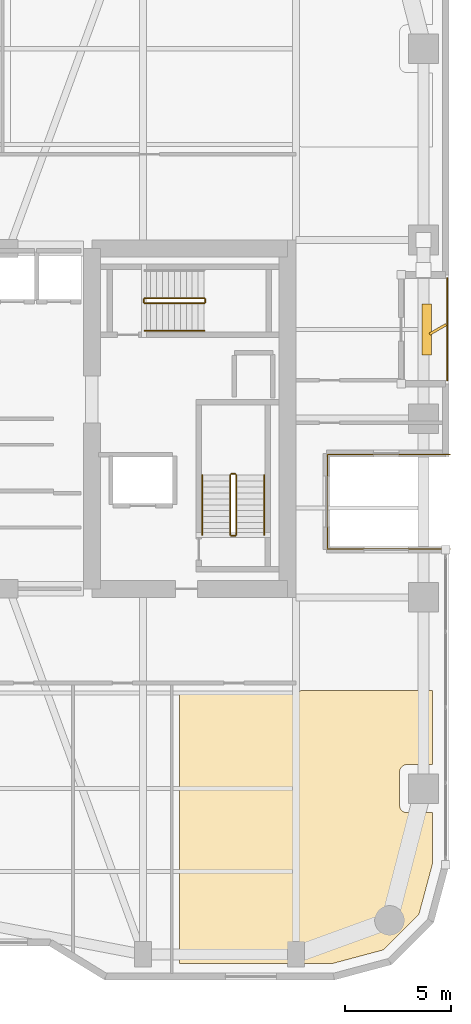
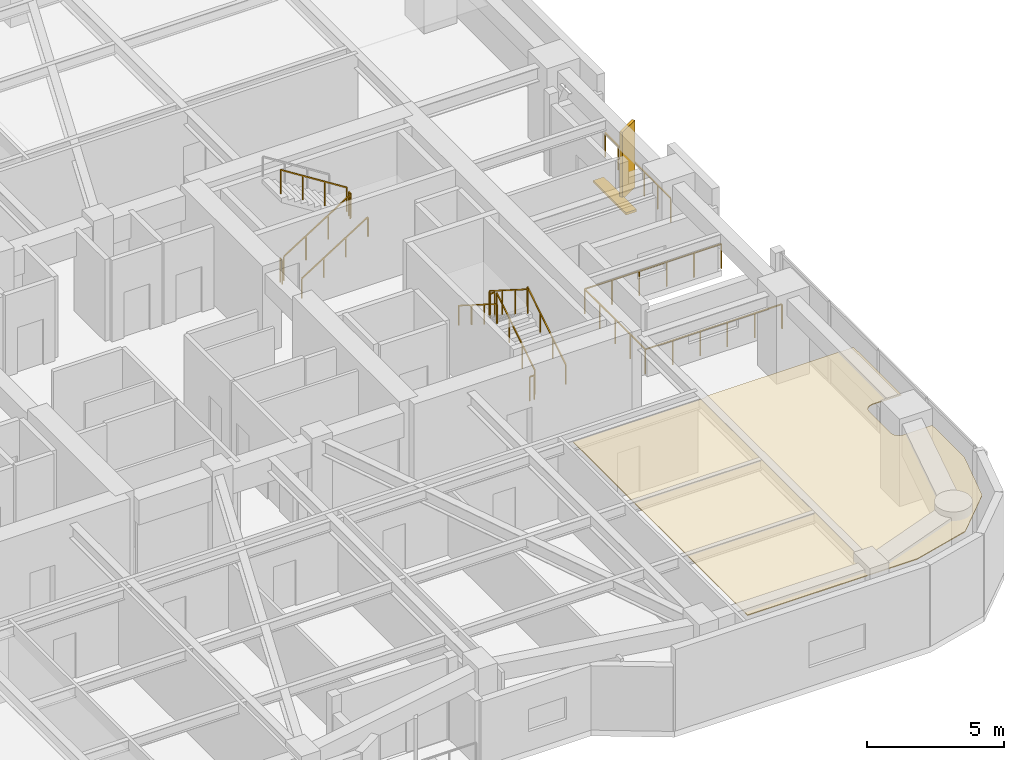
# One storey, part 23 of 24: 13 railings, 2 shading devices, 1 covering.
"""IFC4 building model written with IfcOpenShell, lengths in metres."""

from ifc_helpers import new_model, si_unit, direction, frame, origin, origin_2d, place, context, subcontext, project, spatial, polyline, rectangle, outline, extrude, material, layer, layer_set, type_object, element, save


model = new_model("IFC4")

# Units and contexts
model_context = context("Model", 3, precision=1e-05, world=origin(), true_north=direction((0.0, 1.0)))
body_context = subcontext(model_context, "Body", "Model", "MODEL_VIEW")
ifc_project = project(units=[si_unit("LENGTHUNIT", "METRE"), si_unit("AREAUNIT", "SQUARE_METRE"), si_unit("VOLUMEUNIT", "CUBIC_METRE"), si_unit("PLANEANGLEUNIT", "RADIAN"), si_unit("MASSUNIT", "GRAM", prefix="KILO")], contexts=[model_context])

# Site, building, storey
site_placement = place(None, origin())
site = spatial("IfcSite", under=ifc_project, at=site_placement, CompositionType="ELEMENT")
building_placement = place(site_placement, origin())
building = spatial("IfcBuilding", under=site, at=building_placement, Name="Kiyonajd Concourse Tower", CompositionType="ELEMENT")
storey_placement = place(building_placement, frame((0.0, 0.0, 129.89990234375)))
storey = spatial("IfcBuildingStorey", under=building, at=storey_placement, Name="L33", CompositionType="ELEMENT", Elevation=129.89990234375)

# Covering
ifc_material_1 = material(Name="Natural Oak Acoustic Timber Veneer", Category="wood")
ifc_layer = layer(ifc_material_1, 0.0400390625)
ifc_layer_set = layer_set([ifc_layer], Name="Natural Oak Acoustic Timber Veneer")
covering_type = type_object("IfcCoveringType", Name="CV-CLG-ACST", PredefinedType="CEILING", material=ifc_layer_set)
covering_placement = place(storey_placement, frame((0.0, 0.0, 3.460205078125)))
element("IfcCovering", 1, at=covering_placement, inside=storey, type_object=covering_type, Name="L33-49 Room Acoustic Ceiling", PredefinedType="CEILING", context=body_context, shape_type="SweptSolid", body=[
    extrude(outline(polyline([(63.847900390625, 23.219970703125), (70.030029296875, 23.219970703125), (70.030029296875, 19.72998046875), (68.820068359375, 19.72998046875), (68.751953125, 19.722900390625), (68.655029296875, 19.68896484375), (68.572998046875, 19.626953125), (68.510986328125, 19.544921875), (68.485107421875, 19.48193359375), (68.471923828125, 19.4140625), (68.469970703125, 17.820068359375), (68.485107421875, 17.718017578125), (68.510986328125, 17.655029296875), (68.549072265625, 17.597900390625), (68.597900390625, 17.549072265625), (68.655029296875, 17.510986328125), (68.718017578125, 17.485107421875), (68.785888671875, 17.471923828125), (70.030029296875, 17.469970703125), (70.030029296875, 15.10107421875), (69.385986328125, 12.697998046875), (67.701904296875, 11.013916015625), (65.299072265625, 10.3701171875), (58.1298828125, 10.3701171875), (58.1298828125, 23.139892578125), (63.60009765625, 23.139892578125), (63.72998046875, 23.159912109375), (63.79296875, 23.18603515625), (63.847900390625, 23.219970703125)])), origin(), (0.0, 0.0, 1.0), 0.039794921875),
])

# Railings
ifc_material_2 = material(Name="Thermally Broken Anodised Aluminium", Category="aluminium")
railing_type_1 = type_object("IfcRailingType", Name="RL-BAL-1100", PredefinedType="BALUSTRADE", material=ifc_material_2)
railing_1_placement = place(storey_placement, frame((70.85009765625, 29.8798828125, 0.0)))
element("IfcRailing", 2, at=railing_1_placement, inside=storey, type_object=railing_type_1, Name="L33 East Terrace Sky Garden Upper Overlook Balustrade", PredefinedType="BALUSTRADE", context=body_context, shape_type="SweptSolid", body=[
    extrude(rectangle(XDim=0.048095703125, YDim=0.048095703125, at=origin_2d()), frame((0.0, 0.0, 1.09619140625), z_axis=(-1.0, 0.0, 0.0), x_axis=(0.0, -1.0, 0.0)), (0.0, 0.0, 1.0), 5.77001953125),
    extrude(rectangle(XDim=0.048095703125, YDim=0.048095703125, at=origin_2d()), frame((-5.77001953125, 0.0, 1.09619140625), z_axis=(0.0, 1.0, 0.0), x_axis=(-1.0, 0.0, 0.0)), (0.0, 0.0, 1.0), 4.440185546875),
    extrude(rectangle(XDim=0.048095703125, YDim=0.048095703125, at=origin_2d()), frame((-5.77001953125, 4.440185546875, 1.09619140625), z_axis=(1.0, 0.0, 0.0), x_axis=(0.0, 1.0, 0.0)), (0.0, 0.0, 1.0), 5.77001953125),
    extrude(rectangle(XDim=0.0419921875, YDim=0.0419921875, at=origin_2d()), origin(), (0.0, 0.0, 1.0), 1.072021484375),
    extrude(rectangle(XDim=0.0419921875, YDim=0.0419921875, at=origin_2d()), frame((-1.154052734375, 0.0, 0.0)), (0.0, 0.0, 1.0), 1.072021484375),
    extrude(rectangle(XDim=0.0419921875, YDim=0.0419921875, at=origin_2d()), frame((-2.30810546875, 0.0, 0.0)), (0.0, 0.0, 1.0), 1.072021484375),
    extrude(rectangle(XDim=0.0419921875, YDim=0.0419921875, at=origin_2d()), frame((-3.4619140625, 0.0, 0.0)), (0.0, 0.0, 1.0), 1.072021484375),
    extrude(rectangle(XDim=0.0419921875, YDim=0.0419921875, at=origin_2d()), frame((-4.615966796875, 0.0, 0.0)), (0.0, 0.0, 1.0), 1.072021484375),
    extrude(rectangle(XDim=0.0419921875, YDim=0.0419921875, at=origin_2d()), frame((-5.77001953125, 0.0, 0.0)), (0.0, 0.0, 1.0), 1.072021484375),
    extrude(rectangle(XDim=0.0419921875, YDim=0.0419921875, at=origin_2d()), frame((-5.77001953125, 1.110107421875, 0.0)), (0.0, 0.0, 1.0), 1.072021484375),
    extrude(rectangle(XDim=0.0419921875, YDim=0.0419921875, at=origin_2d()), frame((-5.77001953125, 2.22021484375, 0.0)), (0.0, 0.0, 1.0), 1.072021484375),
    extrude(rectangle(XDim=0.0419921875, YDim=0.0419921875, at=origin_2d()), frame((-5.77001953125, 3.330078125, 0.0)), (0.0, 0.0, 1.0), 1.072021484375),
    extrude(rectangle(XDim=0.0419921875, YDim=0.0419921875, at=origin_2d()), frame((-5.77001953125, 4.440185546875, 0.0)), (0.0, 0.0, 1.0), 1.072021484375),
    extrude(rectangle(XDim=0.0419921875, YDim=0.0419921875, at=origin_2d()), frame((-4.615966796875, 4.440185546875, 0.0)), (0.0, 0.0, 1.0), 1.072021484375),
    extrude(rectangle(XDim=0.0419921875, YDim=0.0419921875, at=origin_2d()), frame((-3.4619140625, 4.440185546875, 0.0)), (0.0, 0.0, 1.0), 1.072021484375),
    extrude(rectangle(XDim=0.0419921875, YDim=0.0419921875, at=origin_2d()), frame((-2.30810546875, 4.440185546875, 0.0)), (0.0, 0.0, 1.0), 1.072021484375),
    extrude(rectangle(XDim=0.0419921875, YDim=0.0419921875, at=origin_2d()), frame((-1.154052734375, 4.440185546875, 0.0)), (0.0, 0.0, 1.0), 1.072021484375),
    extrude(rectangle(XDim=0.0419921875, YDim=0.0419921875, at=origin_2d()), frame((0.0, 4.440185546875, 0.0)), (0.0, 0.0, 1.0), 1.072021484375),
])
railing_type_2 = type_object("IfcRailingType", Name="RL-GRD-LOG", PredefinedType="GUARDRAIL", material=ifc_material_2)
railing_2_placement = place(storey_placement, frame((70.719970703125, 37.800048828125, 0.0)))
element("IfcRailing", 3, at=railing_2_placement, inside=storey, type_object=railing_type_2, Name="L33 Engawa Loggia Perimeter Guard LOG-E", PredefinedType="GUARDRAIL", context=body_context, shape_type="SweptSolid", body=[
    extrude(rectangle(XDim=0.048095703125, YDim=0.048095703125, at=origin_2d()), frame((0.0, 0.0, 1.076171875), z_axis=(0.0, 1.0, 0.0), x_axis=(-1.0, 0.0, 0.0)), (0.0, 0.0, 1.0), 4.800048828125),
    extrude(rectangle(XDim=0.0419921875, YDim=0.0419921875, at=origin_2d()), origin(), (0.0, 0.0, 1.0), 1.052001953125),
    extrude(rectangle(XDim=0.0419921875, YDim=0.0419921875, at=origin_2d()), frame((0.0, 0.9599609375, 0.0)), (0.0, 0.0, 1.0), 1.052001953125),
    extrude(rectangle(XDim=0.0419921875, YDim=0.0419921875, at=origin_2d()), frame((0.0, 1.919921875, 0.0)), (0.0, 0.0, 1.0), 1.052001953125),
    extrude(rectangle(XDim=0.0419921875, YDim=0.0419921875, at=origin_2d()), frame((0.0, 2.880126953125, 0.0)), (0.0, 0.0, 1.0), 1.052001953125),
    extrude(rectangle(XDim=0.0419921875, YDim=0.0419921875, at=origin_2d()), frame((0.0, 3.840087890625, 0.0)), (0.0, 0.0, 1.0), 1.052001953125),
    extrude(rectangle(XDim=0.0419921875, YDim=0.0419921875, at=origin_2d()), frame((0.0, 4.800048828125, 0.0)), (0.0, 0.0, 1.0), 1.052001953125),
])
ifc_material_3 = material(Name="Steel ASTM A500 Grade C", Category="steel")
railing_type_3 = type_object("IfcRailingType", Name="RL-GRD-STR", PredefinedType="GUARDRAIL", material=ifc_material_3)
railing_3_placement = place(storey_placement, frame((60.800048828125, 30.550048828125, 0.177490234375)))
element("IfcRailing", 4, at=railing_3_placement, inside=storey, type_object=railing_type_3, Name="L33 ST2 stair guard 1", PredefinedType="GUARDRAIL", context=body_context, shape_type="SweptSolid", body=[
    extrude(rectangle(XDim=0.048095703125, YDim=0.048095703125, at=origin_2d()), frame((0.0, 0.0, 1.076171875), z_axis=(0.0, 0.844908973607, 0.534910110503), x_axis=(-1.0, 0.0, 0.0)), (0.0, 0.0, 1.0), 3.31396484375),
    extrude(rectangle(XDim=0.0419921875, YDim=0.0419921875, at=origin_2d()), origin(), (0.0, 0.0, 1.0), 1.052001953125),
    extrude(rectangle(XDim=0.0419921875, YDim=0.0419921875, at=origin_2d()), frame((0.0, 0.933349609375, 0.5908203125)), (0.0, 0.0, 1.0), 1.052001953125),
    extrude(rectangle(XDim=0.0419921875, YDim=0.0419921875, at=origin_2d()), frame((0.0, 1.86669921875, 1.181884765625)), (0.0, 0.0, 1.0), 1.052001953125),
    extrude(rectangle(XDim=0.0419921875, YDim=0.0419921875, at=origin_2d()), frame((0.0, 2.800048828125, 1.772705078125)), (0.0, 0.0, 1.0), 1.052001953125),
])
railing_4_placement = place(storey_placement, frame((60.75, 33.39990234375, 1.9501953125)))
element("IfcRailing", 5, at=railing_4_placement, inside=storey, type_object=railing_type_3, Name="L33 ST2 stair guard 2", PredefinedType="GUARDRAIL", context=body_context, shape_type="SweptSolid", body=[
    extrude(rectangle(XDim=0.048095703125, YDim=0.048095703125, at=origin_2d()), frame((0.0, 0.0, 1.076171875), z_axis=(-1.0, 0.0, 0.0), x_axis=(0.0, -1.0, 0.0)), (0.0, 0.0, 1.0), 0.199951171875),
    extrude(rectangle(XDim=0.0419921875, YDim=0.0419921875, at=origin_2d()), origin(), (0.0, 0.0, 1.0), 1.052001953125),
    extrude(rectangle(XDim=0.0419921875, YDim=0.0419921875, at=origin_2d()), frame((-0.199951171875, 0.0, 0.0)), (0.0, 0.0, 1.0), 1.052001953125),
])
railing_5_placement = place(storey_placement, frame((60.5, 33.35009765625, 2.12744140625)))
element("IfcRailing", 6, at=railing_5_placement, inside=storey, type_object=railing_type_3, Name="L33 ST2 stair guard 3", PredefinedType="GUARDRAIL", context=body_context, shape_type="SweptSolid", body=[
    extrude(rectangle(XDim=0.048095703125, YDim=0.048095703125, at=origin_2d()), frame((0.0, 0.0, 1.076171875), z_axis=(0.0, -0.844908973607, 0.534910110503), x_axis=(1.0, 0.0, 0.0)), (0.0, 0.0, 1.0), 3.31396484375),
    extrude(rectangle(XDim=0.0419921875, YDim=0.0419921875, at=origin_2d()), origin(), (0.0, 0.0, 1.0), 1.052001953125),
    extrude(rectangle(XDim=0.0419921875, YDim=0.0419921875, at=origin_2d()), frame((0.0, -0.933349609375, 0.5908203125)), (0.0, 0.0, 1.0), 1.052001953125),
    extrude(rectangle(XDim=0.0419921875, YDim=0.0419921875, at=origin_2d()), frame((0.0, -1.86669921875, 1.181884765625)), (0.0, 0.0, 1.0), 1.052001953125),
    extrude(rectangle(XDim=0.0419921875, YDim=0.0419921875, at=origin_2d()), frame((0.0, -2.800048828125, 1.772705078125)), (0.0, 0.0, 1.0), 1.052001953125),
])
railing_6_placement = place(storey_placement, frame((60.75, 30.5, 0.0)))
element("IfcRailing", 7, at=railing_6_placement, inside=storey, type_object=railing_type_3, Name="L33 ST2 stair guard 4", PredefinedType="GUARDRAIL", context=body_context, shape_type="SweptSolid", body=[
    extrude(rectangle(XDim=0.048095703125, YDim=0.048095703125, at=origin_2d()), frame((0.0, 0.0, 1.076171875), z_axis=(-1.0, 0.0, 0.0), x_axis=(0.0, -1.0, 0.0)), (0.0, 0.0, 1.0), 0.199951171875),
    extrude(rectangle(XDim=0.0419921875, YDim=0.0419921875, at=origin_2d()), origin(), (0.0, 0.0, 1.0), 1.052001953125),
    extrude(rectangle(XDim=0.0419921875, YDim=0.0419921875, at=origin_2d()), frame((-0.199951171875, 0.0, 0.0)), (0.0, 0.0, 1.0), 1.052001953125),
])
railing_7_placement = place(storey_placement, frame((56.47998046875, 41.429931640625, 0.177490234375)))
element("IfcRailing", 8, at=railing_7_placement, inside=storey, type_object=railing_type_3, Name="L33 ST3 stair guard 1", PredefinedType="GUARDRAIL", context=body_context, shape_type="SweptSolid", body=[
    extrude(rectangle(XDim=0.048095703125, YDim=0.048095703125, at=origin_2d()), frame((0.0, 0.0, 1.076171875), z_axis=(0.844908973607, 0.0, 0.534910110503), x_axis=(0.0, 1.0, 0.0)), (0.0, 0.0, 1.0), 3.31396484375),
    extrude(rectangle(XDim=0.0419921875, YDim=0.0419921875, at=origin_2d()), origin(), (0.0, 0.0, 1.0), 1.052001953125),
    extrude(rectangle(XDim=0.0419921875, YDim=0.0419921875, at=origin_2d()), frame((0.933349609375, 0.0, 0.5908203125)), (0.0, 0.0, 1.0), 1.052001953125),
    extrude(rectangle(XDim=0.0419921875, YDim=0.0419921875, at=origin_2d()), frame((1.86669921875, 0.0, 1.181884765625)), (0.0, 0.0, 1.0), 1.052001953125),
    extrude(rectangle(XDim=0.0419921875, YDim=0.0419921875, at=origin_2d()), frame((2.800048828125, 0.0, 1.772705078125)), (0.0, 0.0, 1.0), 1.052001953125),
])
railing_8_placement = place(storey_placement, frame((59.330078125, 41.47998046875, 1.9501953125)))
element("IfcRailing", 9, at=railing_8_placement, inside=storey, type_object=railing_type_3, Name="L33 ST3 stair guard 2", PredefinedType="GUARDRAIL", context=body_context, shape_type="SweptSolid", body=[
    extrude(rectangle(XDim=0.048095703125, YDim=0.048095703125, at=origin_2d()), frame((0.0, 0.0, 1.076171875), z_axis=(0.0, 1.0, 0.0), x_axis=(-1.0, 0.0, 0.0)), (0.0, 0.0, 1.0), 0.14013671875),
    extrude(rectangle(XDim=0.0419921875, YDim=0.0419921875, at=origin_2d()), origin(), (0.0, 0.0, 1.0), 1.052001953125),
    extrude(rectangle(XDim=0.0419921875, YDim=0.0419921875, at=origin_2d()), frame((0.0, 0.14013671875, 0.0)), (0.0, 0.0, 1.0), 1.052001953125),
])
railing_9_placement = place(storey_placement, frame((59.280029296875, 41.669921875, 2.12744140625)))
element("IfcRailing", 10, at=railing_9_placement, inside=storey, type_object=railing_type_3, Name="L33 ST3 stair guard 3", PredefinedType="GUARDRAIL", context=body_context, shape_type="SweptSolid", body=[
    extrude(rectangle(XDim=0.048095703125, YDim=0.048095703125, at=origin_2d()), frame((0.0, 0.0, 1.076171875), z_axis=(-0.844908973607, 0.0, 0.534910110503), x_axis=(0.0, -1.0, 0.0)), (0.0, 0.0, 1.0), 3.31396484375),
    extrude(rectangle(XDim=0.0419921875, YDim=0.0419921875, at=origin_2d()), origin(), (0.0, 0.0, 1.0), 1.052001953125),
    extrude(rectangle(XDim=0.0419921875, YDim=0.0419921875, at=origin_2d()), frame((-0.933349609375, 0.0, 0.5908203125)), (0.0, 0.0, 1.0), 1.052001953125),
    extrude(rectangle(XDim=0.0419921875, YDim=0.0419921875, at=origin_2d()), frame((-1.86669921875, 0.0, 1.181884765625)), (0.0, 0.0, 1.0), 1.052001953125),
    extrude(rectangle(XDim=0.0419921875, YDim=0.0419921875, at=origin_2d()), frame((-2.800048828125, 0.0, 1.772705078125)), (0.0, 0.0, 1.0), 1.052001953125),
])
railing_10_placement = place(storey_placement, frame((56.429931640625, 41.47998046875, 0.0)))
element("IfcRailing", 11, at=railing_10_placement, inside=storey, type_object=railing_type_3, Name="L33 ST3 stair guard 4", PredefinedType="GUARDRAIL", context=body_context, shape_type="SweptSolid", body=[
    extrude(rectangle(XDim=0.048095703125, YDim=0.048095703125, at=origin_2d()), frame((0.0, 0.0, 1.076171875), z_axis=(0.0, 1.0, 0.0), x_axis=(-1.0, 0.0, 0.0)), (0.0, 0.0, 1.0), 0.14013671875),
    extrude(rectangle(XDim=0.0419921875, YDim=0.0419921875, at=origin_2d()), origin(), (0.0, 0.0, 1.0), 1.052001953125),
    extrude(rectangle(XDim=0.0419921875, YDim=0.0419921875, at=origin_2d()), frame((0.0, 0.14013671875, 0.0)), (0.0, 0.0, 1.0), 1.052001953125),
])
ifc_material_4 = material(Name="Brushed Stainless Steel Cab Assembly", Category="steel")
railing_type_4 = type_object("IfcRailingType", Name="RL-HND-900", PredefinedType="HANDRAIL", material=ifc_material_4)
railing_11_placement = place(storey_placement, frame((62.10009765625, 30.550048828125, 0.177490234375)))
element("IfcRailing", 12, at=railing_11_placement, inside=storey, type_object=railing_type_4, Name="L33 ST2 stair handrail 1", PredefinedType="HANDRAIL", context=body_context, shape_type="SweptSolid", body=[
    extrude(rectangle(XDim=0.048095703125, YDim=0.048095703125, at=origin_2d()), frame((0.0, 0.0, 0.8759765625), z_axis=(0.0, 0.844908973607, 0.534910110503), x_axis=(-1.0, 0.0, 0.0)), (0.0, 0.0, 1.0), 3.31396484375),
    extrude(rectangle(XDim=0.0419921875, YDim=0.0419921875, at=origin_2d()), origin(), (0.0, 0.0, 1.0), 0.851806640625),
    extrude(rectangle(XDim=0.0419921875, YDim=0.0419921875, at=origin_2d()), frame((0.0, 0.933349609375, 0.5908203125)), (0.0, 0.0, 1.0), 0.851806640625),
    extrude(rectangle(XDim=0.0419921875, YDim=0.0419921875, at=origin_2d()), frame((0.0, 1.86669921875, 1.181884765625)), (0.0, 0.0, 1.0), 0.851806640625),
    extrude(rectangle(XDim=0.0419921875, YDim=0.0419921875, at=origin_2d()), frame((0.0, 2.800048828125, 1.772705078125)), (0.0, 0.0, 1.0), 0.851806640625),
])
railing_12_placement = place(storey_placement, frame((59.199951171875, 33.35009765625, 2.12744140625)))
element("IfcRailing", 13, at=railing_12_placement, inside=storey, type_object=railing_type_4, Name="L33 ST2 stair handrail 2", PredefinedType="HANDRAIL", context=body_context, shape_type="SweptSolid", body=[
    extrude(rectangle(XDim=0.048095703125, YDim=0.048095703125, at=origin_2d()), frame((0.0, 0.0, 0.8759765625), z_axis=(0.0, -0.844908973607, 0.534910110503), x_axis=(1.0, 0.0, 0.0)), (0.0, 0.0, 1.0), 3.31396484375),
    extrude(rectangle(XDim=0.0419921875, YDim=0.0419921875, at=origin_2d()), origin(), (0.0, 0.0, 1.0), 0.851806640625),
    extrude(rectangle(XDim=0.0419921875, YDim=0.0419921875, at=origin_2d()), frame((0.0, -0.933349609375, 0.5908203125)), (0.0, 0.0, 1.0), 0.851806640625),
    extrude(rectangle(XDim=0.0419921875, YDim=0.0419921875, at=origin_2d()), frame((0.0, -1.86669921875, 1.181884765625)), (0.0, 0.0, 1.0), 0.851806640625),
    extrude(rectangle(XDim=0.0419921875, YDim=0.0419921875, at=origin_2d()), frame((0.0, -2.800048828125, 1.772705078125)), (0.0, 0.0, 1.0), 0.851806640625),
])
railing_13_placement = place(storey_placement, frame((56.47998046875, 40.1298828125, 0.177490234375)))
element("IfcRailing", 14, at=railing_13_placement, inside=storey, type_object=railing_type_4, Name="L33 ST3 stair handrail 1", PredefinedType="HANDRAIL", context=body_context, shape_type="SweptSolid", body=[
    extrude(rectangle(XDim=0.048095703125, YDim=0.048095703125, at=origin_2d()), frame((0.0, 0.0, 0.8759765625), z_axis=(0.844908973607, 0.0, 0.534910110503), x_axis=(0.0, 1.0, 0.0)), (0.0, 0.0, 1.0), 3.31396484375),
    extrude(rectangle(XDim=0.0419921875, YDim=0.0419921875, at=origin_2d()), origin(), (0.0, 0.0, 1.0), 0.851806640625),
    extrude(rectangle(XDim=0.0419921875, YDim=0.0419921875, at=origin_2d()), frame((0.933349609375, 0.0, 0.5908203125)), (0.0, 0.0, 1.0), 0.851806640625),
    extrude(rectangle(XDim=0.0419921875, YDim=0.0419921875, at=origin_2d()), frame((1.86669921875, 0.0, 1.181884765625)), (0.0, 0.0, 1.0), 0.851806640625),
    extrude(rectangle(XDim=0.0419921875, YDim=0.0419921875, at=origin_2d()), frame((2.800048828125, 0.0, 1.772705078125)), (0.0, 0.0, 1.0), 0.851806640625),
])

# Shading devices
ifc_material_5 = material(Name="Precast concrete C50/60", Category="concrete")
shading_device_type_1 = type_object("IfcShadingDeviceType", Name="SH-FIN-900", PredefinedType="USERDEFINED", material=ifc_material_5)
shading_device_1_placement = place(storey_placement, frame((70.27001953125, 40.199951171875, 0.0), z_axis=(0.0, 0.0, 1.0), x_axis=(0.866025403784, 0.5, 0.0)))
element("IfcShadingDevice", 15, at=shading_device_1_placement, inside=storey, type_object=shading_device_type_1, Name="L33 Angled Koshi Solar Fin LOG-E", ObjectType="FIN", PredefinedType="USERDEFINED", context=body_context, shape_type="SweptSolid", body=[
    extrude(rectangle(XDim=0.89990234375, YDim=0.1201171875, at=origin_2d()), origin(), (0.0, 0.0, 1.0), 3.0),
])
shading_device_type_2 = type_object("IfcShadingDeviceType", Name="SH-LVR-600", PredefinedType="JALOUSIE", material=ifc_material_2)
shading_device_2_placement = place(storey_placement, frame((69.75, 40.199951171875, 0.0), z_axis=(0.0, 0.0, 1.0), x_axis=(0.0, 1.0, 0.0)))
element("IfcShadingDevice", 16, at=shading_device_2_placement, inside=storey, type_object=shading_device_type_2, Name="L33 Loggia Threshold Louver LOG-E", PredefinedType="JALOUSIE", context=body_context, shape_type="SweptSolid", body=[
    extrude(rectangle(XDim=2.39990234375, YDim=0.449951171875, at=origin_2d()), origin(), (0.0, 0.0, 1.0), 0.10009765625),
])

save(model, "model.ifc")
